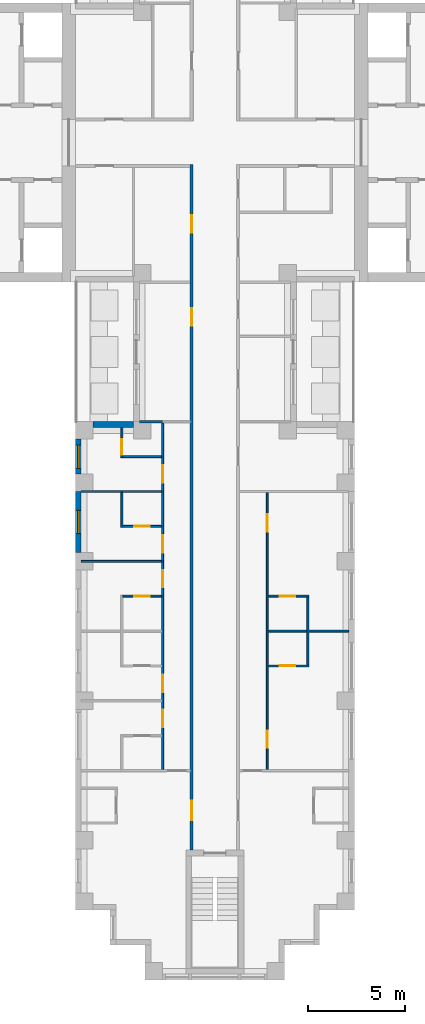
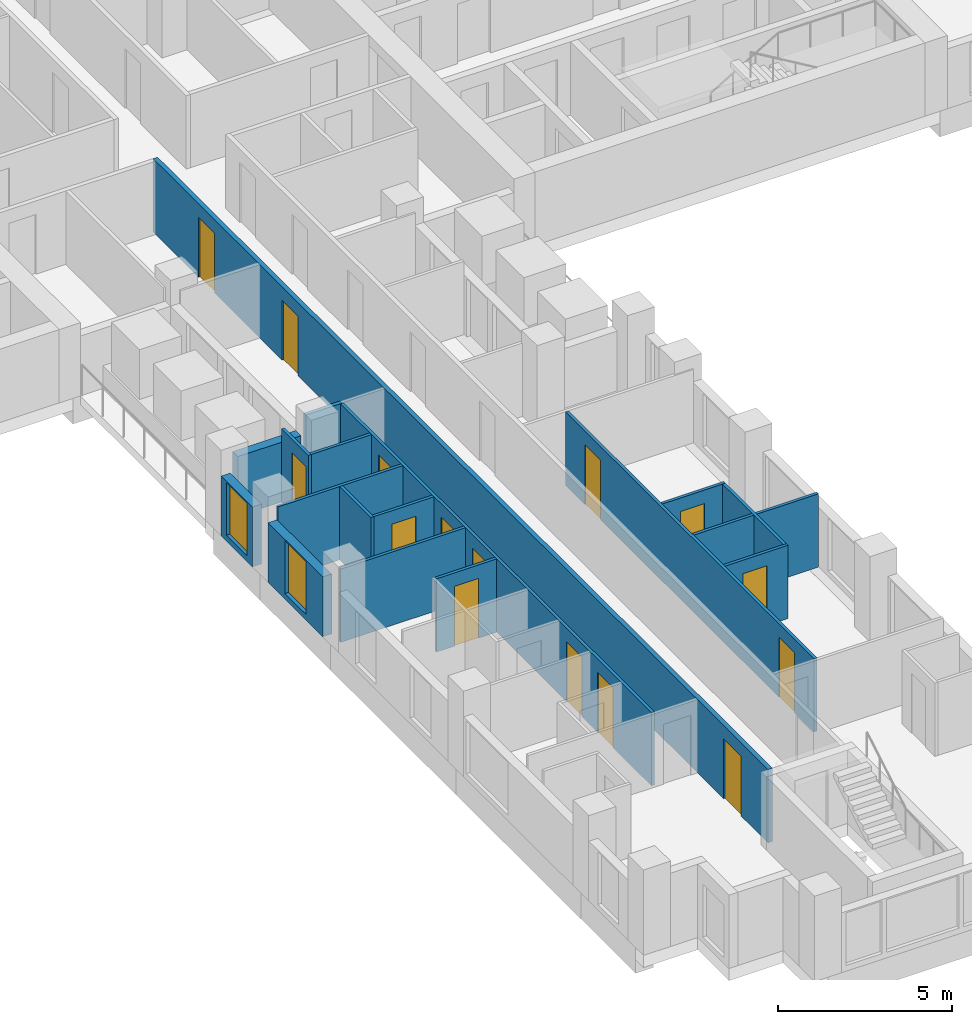
# One storey, part 4 of 15: 18 walls, 15 doors, 2 windows, 17 openings.
"""IFC4 building model written with IfcOpenShell, lengths in metres."""

from ifc_helpers import new_model, si_unit, direction, frame, frame_2d, origin, place, context, subcontext, project, spatial, rectangle, extrude, material, layer, layer_set, type_object, element, fill, save


model = new_model("IFC4")

# Units and contexts
model_context = context("Model", 3, precision=1e-05, world=origin(), true_north=direction((0.0, 1.0)))
body_context = subcontext(model_context, "Body", "Model", "MODEL_VIEW")
ifc_project = project(units=[si_unit("LENGTHUNIT", "METRE"), si_unit("AREAUNIT", "SQUARE_METRE"), si_unit("VOLUMEUNIT", "CUBIC_METRE"), si_unit("PLANEANGLEUNIT", "RADIAN"), si_unit("MASSUNIT", "GRAM", prefix="KILO")], contexts=[model_context])

# Site, building, storey
site_placement = place(None, origin())
site = spatial("IfcSite", under=ifc_project, at=site_placement, CompositionType="ELEMENT")
building_placement = place(site_placement, origin())
building = spatial("IfcBuilding", under=site, at=building_placement, Name="Fustian Cross Tower", CompositionType="ELEMENT")
storey_placement = place(building_placement, frame((0.0, 0.0, 17.699951171875)))
storey = spatial("IfcBuildingStorey", under=building, at=storey_placement, Name="L04", CompositionType="ELEMENT", Elevation=17.699951171875)

# Wall, openings, doors
ifc_material_1 = material(Name="Plasterboard on steel stud", Category="steel")
ifc_layer_1 = layer(ifc_material_1, 0.14990234375)
ifc_layer_set_1 = layer_set([ifc_layer_1], Name="Plasterboard on steel stud")
wall_type_1 = type_object("IfcWallType", Name="COMPARTMENT WALL 150 EI 60", PredefinedType="PARTITIONING", material=ifc_layer_set_1)
wall_1_placement = place(storey_placement, frame((-1.199951171875, -36.5, 0.0), z_axis=(0.0, 0.0, 1.0), x_axis=(0.0, 1.0, 0.0)))
wall_1 = element("IfcWall", 1, at=wall_1_placement, inside=storey, type_object=wall_type_1, Name="Partition 54", PredefinedType="PARTITIONING", context=body_context, shape_type="SweptSolid", body=[
    extrude(rectangle(XDim=35.375, YDim=0.14990234375, at=frame_2d((17.6875, 0.0))), origin(), (0.0, 0.0, 1.0), 2.574951171875),
])
opening_1_placement = place(wall_1_placement, frame((31.85009765625, 0.0, 0.0)))
opening_1 = element("IfcOpeningElement", 2, at=opening_1_placement, cuts=wall_1, Name="Opening D04008", PredefinedType="OPENING", context=body_context, shape_type="SweptSolid", body=[
    extrude(rectangle(XDim=0.89990234375, YDim=2.10009765625, at=frame_2d((0.449951171875, 1.050048828125))), frame((0.0, 0.0849609375, 0.0), z_axis=(0.0, -1.0, 0.0), x_axis=(1.0, 0.0, 0.0)), (0.0, 0.0, 1.0), 0.169921875),
])
opening_2_placement = place(wall_1_placement, frame((27.050048828125, 0.0, 0.0)))
opening_2 = element("IfcOpeningElement", 3, at=opening_2_placement, cuts=wall_1, Name="Opening D04065", PredefinedType="OPENING", context=body_context, shape_type="SweptSolid", body=[
    extrude(rectangle(XDim=0.89990234375, YDim=2.10009765625, at=frame_2d((0.449951171875, 1.050048828125))), frame((0.0, 0.0849609375, 0.0), z_axis=(0.0, -1.0, 0.0), x_axis=(1.0, 0.0, 0.0)), (0.0, 0.0, 1.0), 0.169921875),
])
opening_3_placement = place(wall_1_placement, frame((1.550048828125, 0.0, 0.0)))
opening_3 = element("IfcOpeningElement", 4, at=opening_3_placement, cuts=wall_1, Name="Opening D04067", PredefinedType="OPENING", context=body_context, shape_type="SweptSolid", body=[
    extrude(rectangle(XDim=1.0, YDim=2.10009765625, at=frame_2d((0.5, 1.050048828125))), frame((0.0, 0.0849609375, 0.0), z_axis=(0.0, -1.0, 0.0), x_axis=(1.0, 0.0, 0.0)), (0.0, 0.0, 1.0), 0.169921875),
])
ifc_material_2 = material(Name="Timber fire door set", Category="wood")
door_type_1 = type_object("IfcDoorType", Name="FIRE SWING DOOR 1000 FD30S", OperationType="SINGLE_SWING_LEFT", PredefinedType="DOOR", material=ifc_material_2)
door_1_placement = place(opening_3_placement, origin())
door_1 = element("IfcDoor", 5, at=door_1_placement, inside=storey, type_object=door_type_1, Name="Door D04067", OperationType="SINGLE_SWING_RIGHT", OverallHeight=2.10009765625, OverallWidth=1.0, PredefinedType="DOOR", context=body_context, shape_type="SweptSolid", body=[
    extrude(rectangle(XDim=1.0, YDim=2.10009765625, at=frame_2d((0.5, 1.050048828125))), frame((0.0, 0.02490234375, 0.0), z_axis=(0.0, -1.0, 0.0), x_axis=(1.0, 0.0, 0.0)), (0.0, 0.0, 1.0), 0.050048828125),
])
fill(opening_3, door_1)
ifc_material_3 = material(Name="Timber fire door set", Category="wood")
door_type_2 = type_object("IfcDoorType", Name="FIRE SWING DOOR 900 FD30S", OperationType="SINGLE_SWING_LEFT", PredefinedType="DOOR", material=ifc_material_3)
door_2_placement = place(opening_1_placement, origin())
door_2 = element("IfcDoor", 6, at=door_2_placement, inside=storey, type_object=door_type_2, Name="Door D04008", OperationType="SINGLE_SWING_LEFT", OverallHeight=2.10009765625, OverallWidth=0.89990234375, PredefinedType="DOOR", context=body_context, shape_type="SweptSolid", body=[
    extrude(rectangle(XDim=0.89990234375, YDim=2.10009765625, at=frame_2d((0.449951171875, 1.050048828125))), frame((0.0, 0.02490234375, 0.0), z_axis=(0.0, -1.0, 0.0), x_axis=(1.0, 0.0, 0.0)), (0.0, 0.0, 1.0), 0.050048828125),
])
fill(opening_1, door_2)
door_3_placement = place(opening_2_placement, origin())
door_3 = element("IfcDoor", 7, at=door_3_placement, inside=storey, type_object=door_type_2, Name="Door D04065", OperationType="SINGLE_SWING_RIGHT", OverallHeight=2.10009765625, OverallWidth=0.89990234375, PredefinedType="DOOR", context=body_context, shape_type="SweptSolid", body=[
    extrude(rectangle(XDim=0.89990234375, YDim=2.10009765625, at=frame_2d((0.449951171875, 1.050048828125))), frame((0.0, 0.02490234375, 0.0), z_axis=(0.0, -1.0, 0.0), x_axis=(1.0, 0.0, 0.0)), (0.0, 0.0, 1.0), 0.050048828125),
])
fill(opening_2, door_3)

# Walls
ifc_material_4 = material(Name="Plasterboard on steel stud", Category="steel")
ifc_layer_2 = layer(ifc_material_4, 0.10009765625)
ifc_layer_set_2 = layer_set([ifc_layer_2], Name="Plasterboard on steel stud")
wall_type_2 = type_object("IfcWallType", Name="PARTITION 100 STUD", PredefinedType="PARTITIONING", material=ifc_layer_set_2)
for number, where, z_axis, x_axis, name in (
    (8, (-6.89990234375, -21.60009765625, 0.0), (0.0, 0.0, 1.0), (1.0, 0.0, 0.0), "Partition 15"),
    (9, (-6.89990234375, -18.0, 0.0), (0.0, 0.0, 1.0), (1.0, 0.0, 0.0), "Partition 16"),
):
    element("IfcWall", number, at=place(storey_placement, frame(where, z_axis=z_axis, x_axis=x_axis)), inside=storey, type_object=wall_type_2, Name=name, PredefinedType="PARTITIONING", context=body_context, shape_type="SweptSolid", body=[
        extrude(rectangle(XDim=4.14990234375, YDim=0.10009765625, at=frame_2d((2.074951171875, 0.0))), origin(), (0.0, 0.0, 1.0), 2.574951171875),
    ])

# Wall, opening, door
wall_2_placement = place(storey_placement, frame((-4.75, -23.39990234375, 0.0), z_axis=(0.0, 0.0, 1.0), x_axis=(1.0, 0.0, 0.0)))
wall_2 = element("IfcWall", 10, at=wall_2_placement, inside=storey, type_object=wall_type_2, Name="Partition 30", PredefinedType="PARTITIONING", context=body_context, shape_type="SweptSolid", body=[
    extrude(rectangle(XDim=2.0, YDim=0.10009765625, at=frame_2d((1.0, 0.0))), origin(), (0.0, 0.0, 1.0), 2.574951171875),
])
opening_4_placement = place(wall_2_placement, frame((0.60009765625, 0.0, 0.0)))
opening_4 = element("IfcOpeningElement", 11, at=opening_4_placement, cuts=wall_2, Name="Opening D04076", PredefinedType="OPENING", context=body_context, shape_type="SweptSolid", body=[
    extrude(rectangle(XDim=0.800048828125, YDim=2.10009765625, at=frame_2d((0.39990234375, 1.050048828125))), frame((0.0, 0.06005859375, 0.0), z_axis=(0.0, -1.0, 0.0), x_axis=(1.0, 0.0, 0.0)), (0.0, 0.0, 1.0), 0.1201171875),
])
ifc_material_5 = material(Name="Painted timber", Category="wood")
door_type_3 = type_object("IfcDoorType", Name="SWING DOOR 800", OperationType="SINGLE_SWING_LEFT", PredefinedType="DOOR", material=ifc_material_5)
door_4_placement = place(opening_4_placement, frame((0.800048828125, 0.0, 0.0), z_axis=(0.0, 0.0, 1.0), x_axis=(-1.0, 0.0, 0.0)))
door_4 = element("IfcDoor", 12, at=door_4_placement, inside=storey, type_object=door_type_3, Name="Door D04076", OperationType="SINGLE_SWING_RIGHT", OverallHeight=2.10009765625, OverallWidth=0.800048828125, PredefinedType="DOOR", context=body_context, shape_type="SweptSolid", body=[
    extrude(rectangle(XDim=0.800048828125, YDim=2.10009765625, at=frame_2d((0.39990234375, 1.050048828125))), frame((0.0, 0.02490234375, 0.0), z_axis=(0.0, -1.0, 0.0), x_axis=(1.0, 0.0, 0.0)), (0.0, 0.0, 1.0), 0.050048828125),
])
fill(opening_4, door_4)

# Wall
wall_3_placement = place(storey_placement, frame((-4.800048828125, -19.85009765625, 0.0), z_axis=(0.0, 0.0, 1.0), x_axis=(0.0, 1.0, 0.0)))
element("IfcWall", 13, at=wall_3_placement, inside=storey, type_object=wall_type_2, Name="Partition 31", PredefinedType="PARTITIONING", context=body_context, shape_type="SweptSolid", body=[
    extrude(rectangle(XDim=1.800048828125, YDim=0.10009765625, at=frame_2d((0.89990234375, 0.0))), origin(), (0.0, 0.0, 1.0), 2.574951171875),
])

# Wall, opening, door
wall_4_placement = place(storey_placement, frame((-4.75, -19.800048828125, 0.0), z_axis=(0.0, 0.0, 1.0), x_axis=(1.0, 0.0, 0.0)))
wall_4 = element("IfcWall", 14, at=wall_4_placement, inside=storey, type_object=wall_type_2, Name="Partition 32", PredefinedType="PARTITIONING", context=body_context, shape_type="SweptSolid", body=[
    extrude(rectangle(XDim=2.0, YDim=0.10009765625, at=frame_2d((1.0, 0.0))), origin(), (0.0, 0.0, 1.0), 2.574951171875),
])
opening_5_placement = place(wall_4_placement, frame((0.60009765625, 0.0, 0.0)))
opening_5 = element("IfcOpeningElement", 15, at=opening_5_placement, cuts=wall_4, Name="Opening D04075", PredefinedType="OPENING", context=body_context, shape_type="SweptSolid", body=[
    extrude(rectangle(XDim=0.800048828125, YDim=2.10009765625, at=frame_2d((0.39990234375, 1.050048828125))), frame((0.0, 0.06005859375, 0.0), z_axis=(0.0, -1.0, 0.0), x_axis=(1.0, 0.0, 0.0)), (0.0, 0.0, 1.0), 0.1201171875),
])
door_5_placement = place(opening_5_placement, origin())
door_5 = element("IfcDoor", 16, at=door_5_placement, inside=storey, type_object=door_type_3, Name="Door D04075", OperationType="SINGLE_SWING_LEFT", OverallHeight=2.10009765625, OverallWidth=0.800048828125, PredefinedType="DOOR", context=body_context, shape_type="SweptSolid", body=[
    extrude(rectangle(XDim=0.800048828125, YDim=2.10009765625, at=frame_2d((0.39990234375, 1.050048828125))), frame((0.0, 0.02490234375, 0.0), z_axis=(0.0, -1.0, 0.0), x_axis=(1.0, 0.0, 0.0)), (0.0, 0.0, 1.0), 0.050048828125),
])
fill(opening_5, door_5)

wall_5_placement = place(storey_placement, frame((-4.800048828125, -16.25, 0.0), z_axis=(0.0, 0.0, 1.0), x_axis=(0.0, 1.0, 0.0)))
wall_5 = element("IfcWall", 17, at=wall_5_placement, inside=storey, type_object=wall_type_2, Name="Partition 33", PredefinedType="PARTITIONING", context=body_context, shape_type="SweptSolid", body=[
    extrude(rectangle(XDim=1.550048828125, YDim=0.10009765625, at=frame_2d((0.77490234375, 0.0))), origin(), (0.0, 0.0, 1.0), 2.574951171875),
])
opening_6_placement = place(wall_5_placement, frame((0.14990234375, 0.0, 0.0)))
opening_6 = element("IfcOpeningElement", 18, at=opening_6_placement, cuts=wall_5, Name="Opening D04074", PredefinedType="OPENING", context=body_context, shape_type="SweptSolid", body=[
    extrude(rectangle(XDim=0.800048828125, YDim=2.10009765625, at=frame_2d((0.39990234375, 1.050048828125))), frame((0.0, 0.06005859375, 0.0), z_axis=(0.0, -1.0, 0.0), x_axis=(1.0, 0.0, 0.0)), (0.0, 0.0, 1.0), 0.1201171875),
])
door_6_placement = place(opening_6_placement, frame((0.800048828125, 0.0, 0.0), z_axis=(0.0, 0.0, 1.0), x_axis=(-1.0, 0.0, 0.0)))
door_6 = element("IfcDoor", 19, at=door_6_placement, inside=storey, type_object=door_type_3, Name="Door D04074", OperationType="SINGLE_SWING_RIGHT", OverallHeight=2.10009765625, OverallWidth=0.800048828125, PredefinedType="DOOR", context=body_context, shape_type="SweptSolid", body=[
    extrude(rectangle(XDim=0.800048828125, YDim=2.10009765625, at=frame_2d((0.39990234375, 1.050048828125))), frame((0.0, 0.02490234375, 0.0), z_axis=(0.0, -1.0, 0.0), x_axis=(1.0, 0.0, 0.0)), (0.0, 0.0, 1.0), 0.050048828125),
])
fill(opening_6, door_6)

# Wall
wall_6_placement = place(storey_placement, frame((-4.75, -16.199951171875, 0.0), z_axis=(0.0, 0.0, 1.0), x_axis=(1.0, 0.0, 0.0)))
element("IfcWall", 20, at=wall_6_placement, inside=storey, type_object=wall_type_2, Name="Partition 34", PredefinedType="PARTITIONING", context=body_context, shape_type="SweptSolid", body=[
    extrude(rectangle(XDim=2.0, YDim=0.10009765625, at=frame_2d((1.0, 0.0))), origin(), (0.0, 0.0, 1.0), 2.574951171875),
])

# Wall, openings, doors
wall_7_placement = place(storey_placement, frame((-2.699951171875, -32.35009765625, 0.0), z_axis=(0.0, 0.0, 1.0), x_axis=(0.0, 1.0, 0.0)))
wall_7 = element("IfcWall", 21, at=wall_7_placement, inside=storey, type_object=wall_type_2, Name="Partition 50", PredefinedType="PARTITIONING", context=body_context, shape_type="SweptSolid", body=[
    extrude(rectangle(XDim=17.8876953125, YDim=0.10009765625, at=frame_2d((8.94384765625, 0.0))), origin(), (0.0, 0.0, 1.0), 2.574951171875),
])
opening_7_placement = place(wall_7_placement, frame((2.199951171875, 0.0, 0.0)))
opening_7 = element("IfcOpeningElement", 22, at=opening_7_placement, cuts=wall_7, Name="Opening D04068", PredefinedType="OPENING", context=body_context, shape_type="SweptSolid", body=[
    extrude(rectangle(XDim=0.89990234375, YDim=2.10009765625, at=frame_2d((0.449951171875, 1.050048828125))), frame((0.0, 0.06005859375, 0.0), z_axis=(0.0, -1.0, 0.0), x_axis=(1.0, 0.0, 0.0)), (0.0, 0.0, 1.0), 0.1201171875),
])
opening_8_placement = place(wall_7_placement, frame((4.0, 0.0, 0.0)))
opening_8 = element("IfcOpeningElement", 23, at=opening_8_placement, cuts=wall_7, Name="Opening D04069", PredefinedType="OPENING", context=body_context, shape_type="SweptSolid", body=[
    extrude(rectangle(XDim=0.89990234375, YDim=2.10009765625, at=frame_2d((0.449951171875, 1.050048828125))), frame((0.0, 0.06005859375, 0.0), z_axis=(0.0, -1.0, 0.0), x_axis=(1.0, 0.0, 0.0)), (0.0, 0.0, 1.0), 0.1201171875),
])
opening_9_placement = place(wall_7_placement, frame((9.39990234375, 0.0, 0.0)))
opening_9 = element("IfcOpeningElement", 24, at=opening_9_placement, cuts=wall_7, Name="Opening D04070", PredefinedType="OPENING", context=body_context, shape_type="SweptSolid", body=[
    extrude(rectangle(XDim=0.89990234375, YDim=2.10009765625, at=frame_2d((0.449951171875, 1.050048828125))), frame((0.0, 0.06005859375, 0.0), z_axis=(0.0, -1.0, 0.0), x_axis=(1.0, 0.0, 0.0)), (0.0, 0.0, 1.0), 0.1201171875),
])
opening_10_placement = place(wall_7_placement, frame((11.199951171875, 0.0, 0.0)))
opening_10 = element("IfcOpeningElement", 25, at=opening_10_placement, cuts=wall_7, Name="Opening D04071", PredefinedType="OPENING", context=body_context, shape_type="SweptSolid", body=[
    extrude(rectangle(XDim=0.89990234375, YDim=2.10009765625, at=frame_2d((0.449951171875, 1.050048828125))), frame((0.0, 0.06005859375, 0.0), z_axis=(0.0, -1.0, 0.0), x_axis=(1.0, 0.0, 0.0)), (0.0, 0.0, 1.0), 0.1201171875),
])
opening_11_placement = place(wall_7_placement, frame((14.800048828125, 0.0, 0.0)))
opening_11 = element("IfcOpeningElement", 26, at=opening_11_placement, cuts=wall_7, Name="Opening D04072", PredefinedType="OPENING", context=body_context, shape_type="SweptSolid", body=[
    extrude(rectangle(XDim=0.89990234375, YDim=2.10009765625, at=frame_2d((0.449951171875, 1.050048828125))), frame((0.0, 0.06005859375, 0.0), z_axis=(0.0, -1.0, 0.0), x_axis=(1.0, 0.0, 0.0)), (0.0, 0.0, 1.0), 0.1201171875),
])
ifc_material_6 = material(Name="Painted timber", Category="wood")
door_type_4 = type_object("IfcDoorType", Name="SWING DOOR 900", OperationType="SINGLE_SWING_LEFT", PredefinedType="DOOR", material=ifc_material_6)
door_7_placement = place(opening_7_placement, origin())
door_7 = element("IfcDoor", 27, at=door_7_placement, inside=storey, type_object=door_type_4, Name="Door D04068", OperationType="SINGLE_SWING_LEFT", OverallHeight=2.10009765625, OverallWidth=0.89990234375, PredefinedType="DOOR", context=body_context, shape_type="SweptSolid", body=[
    extrude(rectangle(XDim=0.89990234375, YDim=2.10009765625, at=frame_2d((0.449951171875, 1.050048828125))), frame((0.0, 0.02490234375, 0.0), z_axis=(0.0, -1.0, 0.0), x_axis=(1.0, 0.0, 0.0)), (0.0, 0.0, 1.0), 0.050048828125),
])
fill(opening_7, door_7)
door_8_placement = place(opening_8_placement, origin())
door_8 = element("IfcDoor", 28, at=door_8_placement, inside=storey, type_object=door_type_4, Name="Door D04069", OperationType="SINGLE_SWING_LEFT", OverallHeight=2.10009765625, OverallWidth=0.89990234375, PredefinedType="DOOR", context=body_context, shape_type="SweptSolid", body=[
    extrude(rectangle(XDim=0.89990234375, YDim=2.10009765625, at=frame_2d((0.449951171875, 1.050048828125))), frame((0.0, 0.02490234375, 0.0), z_axis=(0.0, -1.0, 0.0), x_axis=(1.0, 0.0, 0.0)), (0.0, 0.0, 1.0), 0.050048828125),
])
fill(opening_8, door_8)
door_9_placement = place(opening_9_placement, origin())
door_9 = element("IfcDoor", 29, at=door_9_placement, inside=storey, type_object=door_type_4, Name="Door D04070", OperationType="SINGLE_SWING_LEFT", OverallHeight=2.10009765625, OverallWidth=0.89990234375, PredefinedType="DOOR", context=body_context, shape_type="SweptSolid", body=[
    extrude(rectangle(XDim=0.89990234375, YDim=2.10009765625, at=frame_2d((0.449951171875, 1.050048828125))), frame((0.0, 0.02490234375, 0.0), z_axis=(0.0, -1.0, 0.0), x_axis=(1.0, 0.0, 0.0)), (0.0, 0.0, 1.0), 0.050048828125),
])
fill(opening_9, door_9)
door_10_placement = place(opening_10_placement, origin())
door_10 = element("IfcDoor", 30, at=door_10_placement, inside=storey, type_object=door_type_4, Name="Door D04071", OperationType="SINGLE_SWING_LEFT", OverallHeight=2.10009765625, OverallWidth=0.89990234375, PredefinedType="DOOR", context=body_context, shape_type="SweptSolid", body=[
    extrude(rectangle(XDim=0.89990234375, YDim=2.10009765625, at=frame_2d((0.449951171875, 1.050048828125))), frame((0.0, 0.02490234375, 0.0), z_axis=(0.0, -1.0, 0.0), x_axis=(1.0, 0.0, 0.0)), (0.0, 0.0, 1.0), 0.050048828125),
])
fill(opening_10, door_10)
door_11_placement = place(opening_11_placement, origin())
door_11 = element("IfcDoor", 31, at=door_11_placement, inside=storey, type_object=door_type_4, Name="Door D04072", OperationType="SINGLE_SWING_LEFT", OverallHeight=2.10009765625, OverallWidth=0.89990234375, PredefinedType="DOOR", context=body_context, shape_type="SweptSolid", body=[
    extrude(rectangle(XDim=0.89990234375, YDim=2.10009765625, at=frame_2d((0.449951171875, 1.050048828125))), frame((0.0, 0.02490234375, 0.0), z_axis=(0.0, -1.0, 0.0), x_axis=(1.0, 0.0, 0.0)), (0.0, 0.0, 1.0), 0.050048828125),
])
fill(opening_11, door_11)

wall_8_placement = place(storey_placement, frame((2.699951171875, -32.35009765625, 0.0), z_axis=(0.0, 0.0, 1.0), x_axis=(0.0, 1.0, 0.0)))
wall_8 = element("IfcWall", 32, at=wall_8_placement, inside=storey, type_object=wall_type_2, Name="Partition 70", PredefinedType="PARTITIONING", context=body_context, shape_type="SweptSolid", body=[
    extrude(rectangle(XDim=14.300048828125, YDim=0.10009765625, at=frame_2d((7.14990234375, 0.0))), origin(), (0.0, 0.0, 1.0), 2.574951171875),
])
opening_12_placement = place(wall_8_placement, frame((1.1201171875, 0.0, 0.0)))
opening_12 = element("IfcOpeningElement", 33, at=opening_12_placement, cuts=wall_8, Name="Opening D04061", PredefinedType="OPENING", context=body_context, shape_type="SweptSolid", body=[
    extrude(rectangle(XDim=0.89990234375, YDim=2.10009765625, at=frame_2d((0.449951171875, 1.050048828125))), frame((0.0, 0.06005859375, 0.0), z_axis=(0.0, -1.0, 0.0), x_axis=(1.0, 0.0, 0.0)), (0.0, 0.0, 1.0), 0.1201171875),
])
opening_13_placement = place(wall_8_placement, frame((12.280029296875, 0.0, 0.0)))
opening_13 = element("IfcOpeningElement", 34, at=opening_13_placement, cuts=wall_8, Name="Opening D04062", PredefinedType="OPENING", context=body_context, shape_type="SweptSolid", body=[
    extrude(rectangle(XDim=0.89990234375, YDim=2.10009765625, at=frame_2d((0.449951171875, 1.050048828125))), frame((0.0, 0.06005859375, 0.0), z_axis=(0.0, -1.0, 0.0), x_axis=(1.0, 0.0, 0.0)), (0.0, 0.0, 1.0), 0.1201171875),
])
door_12_placement = place(opening_12_placement, origin())
door_12 = element("IfcDoor", 35, at=door_12_placement, inside=storey, type_object=door_type_4, Name="Door D04061", OperationType="SINGLE_SWING_LEFT", OverallHeight=2.10009765625, OverallWidth=0.89990234375, PredefinedType="DOOR", context=body_context, shape_type="SweptSolid", body=[
    extrude(rectangle(XDim=0.89990234375, YDim=2.10009765625, at=frame_2d((0.449951171875, 1.050048828125))), frame((0.0, 0.02490234375, 0.0), z_axis=(0.0, -1.0, 0.0), x_axis=(1.0, 0.0, 0.0)), (0.0, 0.0, 1.0), 0.050048828125),
])
fill(opening_12, door_12)
door_13_placement = place(opening_13_placement, origin())
door_13 = element("IfcDoor", 36, at=door_13_placement, inside=storey, type_object=door_type_4, Name="Door D04062", OperationType="SINGLE_SWING_RIGHT", OverallHeight=2.10009765625, OverallWidth=0.89990234375, PredefinedType="DOOR", context=body_context, shape_type="SweptSolid", body=[
    extrude(rectangle(XDim=0.89990234375, YDim=2.10009765625, at=frame_2d((0.449951171875, 1.050048828125))), frame((0.0, 0.02490234375, 0.0), z_axis=(0.0, -1.0, 0.0), x_axis=(1.0, 0.0, 0.0)), (0.0, 0.0, 1.0), 0.050048828125),
])
fill(opening_13, door_13)

# Wall, opening, door
wall_9_placement = place(storey_placement, frame((2.75, -27.0, 0.0), z_axis=(0.0, 0.0, 1.0), x_axis=(1.0, 0.0, 0.0)))
wall_9 = element("IfcWall", 37, at=wall_9_placement, inside=storey, type_object=wall_type_2, Name="Partition 71", PredefinedType="PARTITIONING", context=body_context, shape_type="SweptSolid", body=[
    extrude(rectangle(XDim=2.10009765625, YDim=0.10009765625, at=frame_2d((1.050048828125, 0.0))), origin(), (0.0, 0.0, 1.0), 2.574951171875),
])
opening_14_placement = place(wall_9_placement, frame((0.60009765625, 0.0, 0.0)))
opening_14 = element("IfcOpeningElement", 38, at=opening_14_placement, cuts=wall_9, Name="Opening D04064", PredefinedType="OPENING", context=body_context, shape_type="SweptSolid", body=[
    extrude(rectangle(XDim=0.800048828125, YDim=2.10009765625, at=frame_2d((0.39990234375, 1.050048828125))), frame((0.0, 0.06005859375, 0.0), z_axis=(0.0, -1.0, 0.0), x_axis=(1.0, 0.0, 0.0)), (0.0, 0.0, 1.0), 0.1201171875),
])
door_14_placement = place(opening_14_placement, origin())
door_14 = element("IfcDoor", 39, at=door_14_placement, inside=storey, type_object=door_type_3, Name="Door D04064", OperationType="SINGLE_SWING_LEFT", OverallHeight=2.10009765625, OverallWidth=0.800048828125, PredefinedType="DOOR", context=body_context, shape_type="SweptSolid", body=[
    extrude(rectangle(XDim=0.800048828125, YDim=2.10009765625, at=frame_2d((0.39990234375, 1.050048828125))), frame((0.0, 0.02490234375, 0.0), z_axis=(0.0, -1.0, 0.0), x_axis=(1.0, 0.0, 0.0)), (0.0, 0.0, 1.0), 0.050048828125),
])
fill(opening_14, door_14)

# Wall
wall_10_placement = place(storey_placement, frame((2.75, -25.199951171875, 0.0), z_axis=(0.0, 0.0, 1.0), x_axis=(1.0, 0.0, 0.0)))
element("IfcWall", 40, at=wall_10_placement, inside=storey, type_object=wall_type_2, Name="Partition 72", PredefinedType="PARTITIONING", context=body_context, shape_type="SweptSolid", body=[
    extrude(rectangle(XDim=4.14990234375, YDim=0.10009765625, at=frame_2d((2.074951171875, 0.0))), origin(), (0.0, 0.0, 1.0), 2.574951171875),
])

# Wall, opening, door
wall_11_placement = place(storey_placement, frame((2.75, -23.39990234375, 0.0), z_axis=(0.0, 0.0, 1.0), x_axis=(1.0, 0.0, 0.0)))
wall_11 = element("IfcWall", 41, at=wall_11_placement, inside=storey, type_object=wall_type_2, Name="Partition 73", PredefinedType="PARTITIONING", context=body_context, shape_type="SweptSolid", body=[
    extrude(rectangle(XDim=2.10009765625, YDim=0.10009765625, at=frame_2d((1.050048828125, 0.0))), origin(), (0.0, 0.0, 1.0), 2.574951171875),
])
opening_15_placement = place(wall_11_placement, frame((0.60009765625, 0.0, 0.0)))
opening_15 = element("IfcOpeningElement", 42, at=opening_15_placement, cuts=wall_11, Name="Opening D04063", PredefinedType="OPENING", context=body_context, shape_type="SweptSolid", body=[
    extrude(rectangle(XDim=0.800048828125, YDim=2.10009765625, at=frame_2d((0.39990234375, 1.050048828125))), frame((0.0, 0.06005859375, 0.0), z_axis=(0.0, -1.0, 0.0), x_axis=(1.0, 0.0, 0.0)), (0.0, 0.0, 1.0), 0.1201171875),
])
door_15_placement = place(opening_15_placement, frame((0.800048828125, 0.0, 0.0), z_axis=(0.0, 0.0, 1.0), x_axis=(-1.0, 0.0, 0.0)))
door_15 = element("IfcDoor", 43, at=door_15_placement, inside=storey, type_object=door_type_3, Name="Door D04063", OperationType="SINGLE_SWING_RIGHT", OverallHeight=2.10009765625, OverallWidth=0.800048828125, PredefinedType="DOOR", context=body_context, shape_type="SweptSolid", body=[
    extrude(rectangle(XDim=0.800048828125, YDim=2.10009765625, at=frame_2d((0.39990234375, 1.050048828125))), frame((0.0, 0.02490234375, 0.0), z_axis=(0.0, -1.0, 0.0), x_axis=(1.0, 0.0, 0.0)), (0.0, 0.0, 1.0), 0.050048828125),
])
fill(opening_15, door_15)

# Walls
wall_12_placement = place(storey_placement, frame((4.800048828125, -26.949951171875, 0.0), z_axis=(0.0, 0.0, 1.0), x_axis=(0.0, 1.0, 0.0)))
element("IfcWall", 44, at=wall_12_placement, inside=storey, type_object=wall_type_2, Name="Partition 87", PredefinedType="PARTITIONING", context=body_context, shape_type="SweptSolid", body=[
    extrude(rectangle(XDim=3.5, YDim=0.10009765625, at=frame_2d((1.75, 0.0))), origin(), (0.0, 0.0, 1.0), 2.574951171875),
])
ifc_material_7 = material(Name="Plasterboard on steel stud", Category="steel")
ifc_layer_3 = layer(ifc_material_7, 0.125)
ifc_layer_set_3 = layer_set([ifc_layer_3], Name="Plasterboard on steel stud")
wall_type_3 = type_object("IfcWallType", Name="WET WALL 125 STUD", PredefinedType="PARTITIONING", material=ifc_layer_set_3)
wall_13_placement = place(storey_placement, frame((-3.89990234375, -14.39990234375, 0.0), z_axis=(0.0, 0.0, 1.0), x_axis=(1.0, 0.0, 0.0)))
element("IfcWall", 45, at=wall_13_placement, inside=storey, type_object=wall_type_3, Name="Partition 45", PredefinedType="PARTITIONING", context=body_context, shape_type="SweptSolid", body=[
    extrude(rectangle(XDim=1.199951171875, YDim=0.125, at=frame_2d((0.60009765625, 0.0))), origin(), (0.0, 0.0, 1.0), 2.574951171875),
])
ifc_material_8 = material(Name="Dark aluminium cladding on insulated backing wall", Category="aluminium")
ifc_layer_4 = layer(ifc_material_8, 0.300048828125)
ifc_layer_set_4 = layer_set([ifc_layer_4], Name="Dark aluminium cladding on insulated backing wall")
wall_type_4 = type_object("IfcWallType", Name="XW1 EXTERNAL WALL 300", PredefinedType="SOLIDWALL", material=ifc_layer_set_4)
wall_14_placement = place(storey_placement, frame((-4.199951171875, -14.550048828125, 0.0), z_axis=(0.0, 0.0, 1.0), x_axis=(-1.0, 0.0, 0.0)))
element("IfcWall", 46, at=wall_14_placement, inside=storey, type_object=wall_type_4, Name="External wall", PredefinedType="SOLIDWALL", context=body_context, shape_type="SweptSolid", body=[
    extrude(rectangle(XDim=2.10009765625, YDim=0.300048828125, at=frame_2d((1.050048828125, 0.0))), origin(), (0.0, 0.0, 1.0), 2.10009765625),
])

# Wall, opening, window
wall_15_placement = place(storey_placement, frame((-7.050048828125, -15.300048828125, 0.0), z_axis=(0.0, 0.0, 1.0), x_axis=(0.0, -1.0, 0.0)))
wall_15 = element("IfcWall", 47, at=wall_15_placement, inside=storey, type_object=wall_type_4, Name="External wall", PredefinedType="SOLIDWALL", context=body_context, shape_type="SweptSolid", body=[
    extrude(rectangle(XDim=1.800048828125, YDim=0.300048828125, at=frame_2d((0.89990234375, 0.0))), origin(), (0.0, 0.0, 1.0), 2.10009765625),
])
opening_16_placement = place(wall_15_placement, frame((0.300048828125, 0.0, 0.199951171875)))
opening_16 = element("IfcOpeningElement", 48, at=opening_16_placement, cuts=wall_15, Name="Opening WN3", PredefinedType="OPENING", context=body_context, shape_type="SweptSolid", body=[
    extrude(rectangle(XDim=1.199951171875, YDim=1.85009765625, at=frame_2d((0.60009765625, 0.925048828125))), frame((0.0, 0.159912109375, 0.0), z_axis=(0.0, -1.0, 0.0), x_axis=(1.0, 0.0, 0.0)), (0.0, 0.0, 1.0), 0.320068359375),
])
ifc_material_9 = material(Name="Dark anodised aluminium and double glazing", Category="aluminium")
window_type = type_object("IfcWindowType", Name="WN3 WINDOW 1200X1850", PartitioningType="SINGLE_PANEL", PredefinedType="WINDOW", material=ifc_material_9)
window_1_placement = place(opening_16_placement, origin())
window_1 = element("IfcWindow", 49, at=window_1_placement, inside=storey, type_object=window_type, Name="Window", OverallHeight=1.85009765625, OverallWidth=1.199951171875, PartitioningType="SINGLE_PANEL", PredefinedType="WINDOW", context=body_context, shape_type="SweptSolid", body=[
    extrude(rectangle(XDim=1.199951171875, YDim=1.85009765625, at=frame_2d((0.60009765625, 0.925048828125))), frame((0.0, 0.030029296875, 0.0), z_axis=(0.0, -1.0, 0.0), x_axis=(1.0, 0.0, 0.0)), (0.0, 0.0, 1.0), 0.06005859375),
])
fill(opening_16, window_1)

wall_16_placement = place(storey_placement, frame((-7.050048828125, -18.0, 0.0), z_axis=(0.0, 0.0, 1.0), x_axis=(0.0, -1.0, 0.0)))
wall_16 = element("IfcWall", 50, at=wall_16_placement, inside=storey, type_object=wall_type_4, Name="External wall", PredefinedType="SOLIDWALL", context=body_context, shape_type="SweptSolid", body=[
    extrude(rectangle(XDim=3.14990234375, YDim=0.300048828125, at=frame_2d((1.574951171875, 0.0))), origin(), (0.0, 0.0, 1.0), 2.10009765625),
])
opening_17_placement = place(wall_16_placement, frame((0.97509765625, 0.0, 0.199951171875)))
opening_17 = element("IfcOpeningElement", 51, at=opening_17_placement, cuts=wall_16, Name="Opening WN3", PredefinedType="OPENING", context=body_context, shape_type="SweptSolid", body=[
    extrude(rectangle(XDim=1.199951171875, YDim=1.85009765625, at=frame_2d((0.60009765625, 0.925048828125))), frame((0.0, 0.159912109375, 0.0), z_axis=(0.0, -1.0, 0.0), x_axis=(1.0, 0.0, 0.0)), (0.0, 0.0, 1.0), 0.320068359375),
])
window_2_placement = place(opening_17_placement, origin())
window_2 = element("IfcWindow", 52, at=window_2_placement, inside=storey, type_object=window_type, Name="Window", OverallHeight=1.85009765625, OverallWidth=1.199951171875, PartitioningType="SINGLE_PANEL", PredefinedType="WINDOW", context=body_context, shape_type="SweptSolid", body=[
    extrude(rectangle(XDim=1.199951171875, YDim=1.85009765625, at=frame_2d((0.60009765625, 0.925048828125))), frame((0.0, 0.030029296875, 0.0), z_axis=(0.0, -1.0, 0.0), x_axis=(1.0, 0.0, 0.0)), (0.0, 0.0, 1.0), 0.06005859375),
])
fill(opening_17, window_2)

save(model, "model.ifc")
